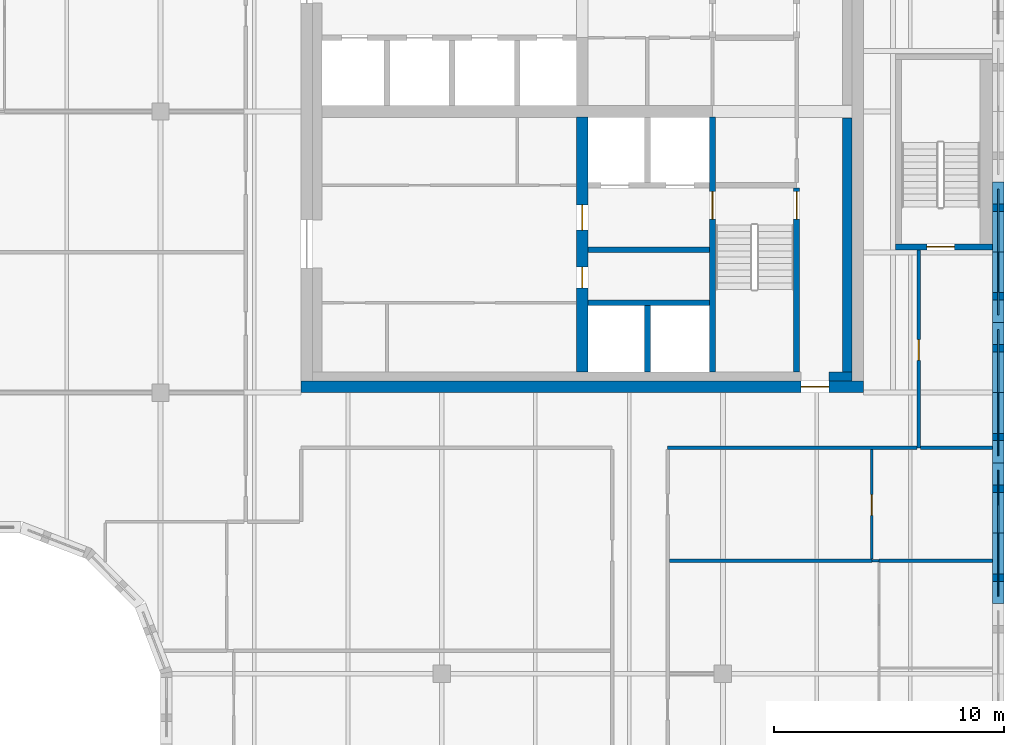
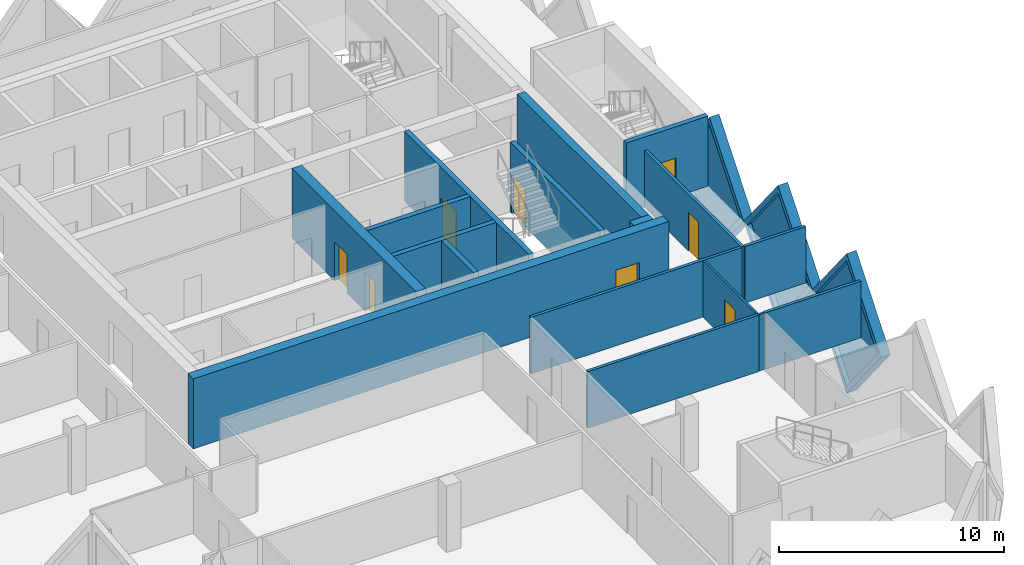
# One storey, part 6 of 12: 20 walls, 8 doors, 3 plates, 11 openings.
"""IFC4 building model written with IfcOpenShell, lengths in metres."""

from ifc_helpers import new_model, si_unit, direction, frame, frame_2d, origin, place, context, subcontext, project, spatial, polyline, rectangle, outline, extrude, faceted_brep, source, transform, mapped, material, layer, layer_set, type_object, element, fill, save


model = new_model("IFC4")

# Units and contexts
model_context = context("Model", 3, precision=1e-05, world=origin(), true_north=direction((0.0, 1.0)))
body_context = subcontext(model_context, "Body", "Model", "MODEL_VIEW")
ifc_project = project(units=[si_unit("LENGTHUNIT", "METRE"), si_unit("AREAUNIT", "SQUARE_METRE"), si_unit("VOLUMEUNIT", "CUBIC_METRE"), si_unit("PLANEANGLEUNIT", "RADIAN"), si_unit("MASSUNIT", "GRAM", prefix="KILO")], contexts=[model_context])

# Site, building, storey
site_placement = place(None, origin())
site = spatial("IfcSite", under=ifc_project, at=site_placement, CompositionType="ELEMENT")
building_placement = place(site_placement, origin())
building = spatial("IfcBuilding", under=site, at=building_placement, Name="Tessera Gate Towers", CompositionType="ELEMENT")
storey_placement = place(building_placement, frame((0.0, 0.0, 209.300048828125)))
storey = spatial("IfcBuildingStorey", under=building, at=storey_placement, Name="L52", CompositionType="ELEMENT", Elevation=209.300048828125)

# Wall, opening, door
ifc_material_1 = material(Name="Concrete C40/50", Category="concrete")
ifc_layer_1 = layer(ifc_material_1, 0.25)
ifc_layer_set_1 = layer_set([ifc_layer_1], Name="CORE ENCLOSURE WALL 250")
wall_type_1 = type_object("IfcWallType", Name="CORE ENCLOSURE WALL 250", PredefinedType="SOLIDWALL", material=ifc_layer_set_1)
wall_1_placement = place(storey_placement, frame((48.35009765625, 36.35009765625, 0.0), z_axis=(0.0, 0.0, 1.0), x_axis=(0.0, -1.0, 0.0)))
wall_1 = element("IfcWall", 1, at=wall_1_placement, inside=storey, type_object=wall_type_1, Name="L52 shaft and stair enclosure wall", PredefinedType="SOLIDWALL", context=body_context, shape_type="SweptSolid", body=[
    extrude(rectangle(XDim=11.050048828125, YDim=0.25, at=frame_2d((5.52490234375, 0.0))), origin(), (0.0, 0.0, 1.0), 3.800048828125),
])
shared_shape_1 = source(origin(), body_context, "Body", "SweptSolid", [
    extrude(rectangle(XDim=1.199951171875, YDim=2.10009765625, at=frame_2d((0.60009765625, 1.050048828125))), frame((0.0, 0.135009765625, 0.0), z_axis=(0.0, -1.0, 0.0), x_axis=(1.0, 0.0, 0.0)), (0.0, 0.0, 1.0), 0.27001953125),
])
opening_1_placement = place(wall_1_placement, frame((3.22509765625, 0.0, 0.0)))
opening_1 = element("IfcOpeningElement", 2, at=opening_1_placement, cuts=wall_1, Name="Opening SD-ST1-1", PredefinedType="OPENING", context=body_context, shape_type="MappedRepresentation", body=[
    mapped(shared_shape_1, transform((0.0, 0.0, 0.0), scale=1.0)),
])
ifc_material_2 = material(Name="Hollow steel fire door", Category="steel")
door_type_1 = type_object("IfcDoorType", Name="CORE DOOR SD 1200x2100", OperationType="NOTDEFINED", PredefinedType="DOOR", material=ifc_material_2)
shared_shape_2 = source(origin(), body_context, "Body", "SweptSolid", [
    extrude(rectangle(XDim=1.199951171875, YDim=2.10009765625, at=frame_2d((0.60009765625, 1.050048828125))), frame((0.0, 0.02490234375, 0.0), z_axis=(0.0, -1.0, 0.0), x_axis=(1.0, 0.0, 0.0)), (0.0, 0.0, 1.0), 0.050048828125),
])
door_1_placement = place(opening_1_placement, origin())
door_1 = element("IfcDoor", 3, at=door_1_placement, inside=storey, type_object=door_type_1, Name="Stair door", OperationType="SINGLE_SWING_LEFT", OverallHeight=2.10009765625, OverallWidth=1.199951171875, PredefinedType="DOOR", context=body_context, shape_type="MappedRepresentation", body=[
    mapped(shared_shape_2, transform((0.0, 0.0, 0.0), scale=1.0)),
])
fill(opening_1, door_1)

wall_2_placement = place(storey_placement, frame((52.0, 25.300048828125, 0.0), z_axis=(0.0, 0.0, 1.0), x_axis=(0.0, 1.0, 0.0)))
wall_2 = element("IfcWall", 4, at=wall_2_placement, inside=storey, type_object=wall_type_1, Name="L52 shaft and stair enclosure wall", PredefinedType="SOLIDWALL", context=body_context, shape_type="SweptSolid", body=[
    extrude(rectangle(XDim=7.974853515625, YDim=0.25, at=frame_2d((3.9873046875, 0.0))), origin(), (0.0, 0.0, 1.0), 3.800048828125),
])
opening_2_placement = place(wall_2_placement, frame((6.625, 0.0, 0.0)))
opening_2 = element("IfcOpeningElement", 5, at=opening_2_placement, cuts=wall_2, Name="Opening SD-ST1-2", PredefinedType="OPENING", context=body_context, shape_type="MappedRepresentation", body=[
    mapped(shared_shape_1, transform((0.0, 0.0, 0.0), scale=1.0)),
])
door_2_placement = place(opening_2_placement, origin())
door_2 = element("IfcDoor", 6, at=door_2_placement, inside=storey, type_object=door_type_1, Name="Stair door", OperationType="SINGLE_SWING_RIGHT", OverallHeight=2.10009765625, OverallWidth=1.199951171875, PredefinedType="DOOR", context=body_context, shape_type="MappedRepresentation", body=[
    mapped(shared_shape_2, transform((0.0, 0.0, 0.0), scale=1.0)),
])
fill(opening_2, door_2)

# Walls
for number, where, z_axis, x_axis, name in (
    (7, (42.949951171875, 28.300048828125, 0.0), (0.0, 0.0, 1.0), (1.0, 0.0, 0.0), "L52 shaft and stair enclosure wall"),
    (8, (42.949951171875, 30.60009765625, 0.0), (0.0, 0.0, 1.0), (1.0, 0.0, 0.0), "L52 shaft and stair enclosure wall"),
):
    element("IfcWall", number, at=place(storey_placement, frame(where, z_axis=z_axis, x_axis=x_axis)), inside=storey, type_object=wall_type_1, Name=name, PredefinedType="SOLIDWALL", context=body_context, shape_type="SweptSolid", body=[
        extrude(rectangle(XDim=5.275146484375, YDim=0.25, at=frame_2d((2.6376953125, 0.0))), origin(), (0.0, 0.0, 1.0), 3.800048828125),
    ])
wall_3_placement = place(storey_placement, frame((45.52490234375, 25.300048828125, 0.0), z_axis=(0.0, 0.0, 1.0), x_axis=(0.0, 1.0, 0.0)))
element("IfcWall", 9, at=wall_3_placement, inside=storey, type_object=wall_type_1, Name="L52 shaft and stair enclosure wall", PredefinedType="SOLIDWALL", context=body_context, shape_type="SweptSolid", body=[
    extrude(rectangle(XDim=2.875, YDim=0.25, at=frame_2d((1.4375, 0.0))), origin(), (0.0, 0.0, 1.0), 3.800048828125),
])

# Wall, opening, door
wall_4_placement = place(storey_placement, frame((60.5, 30.72509765625, 0.0), z_axis=(0.0, 0.0, 1.0), x_axis=(-1.0, 0.0, 0.0)))
wall_4 = element("IfcWall", 10, at=wall_4_placement, inside=storey, type_object=wall_type_1, Name="L52 ST5 enclosure wall", PredefinedType="SOLIDWALL", context=body_context, shape_type="SweptSolid", body=[
    extrude(rectangle(XDim=4.199951171875, YDim=0.25, at=frame_2d((2.10009765625, 0.0))), origin(), (0.0, 0.0, 1.0), 3.800048828125),
])
opening_3_placement = place(wall_4_placement, frame((1.64990234375, 0.0, 0.0)))
opening_3 = element("IfcOpeningElement", 11, at=opening_3_placement, cuts=wall_4, Name="Opening SD-ST5-1", PredefinedType="OPENING", context=body_context, shape_type="MappedRepresentation", body=[
    mapped(shared_shape_1, transform((0.0, 0.0, 0.0), scale=1.0)),
])
door_3_placement = place(opening_3_placement, origin())
door_3 = element("IfcDoor", 12, at=door_3_placement, inside=storey, type_object=door_type_1, Name="Stair door", OperationType="SINGLE_SWING_RIGHT", OverallHeight=2.10009765625, OverallWidth=1.199951171875, PredefinedType="DOOR", context=body_context, shape_type="MappedRepresentation", body=[
    mapped(shared_shape_2, transform((0.0, 0.0, 0.0), scale=1.0)),
])
fill(opening_3, door_3)

ifc_material_3 = material(Name="Concrete C50/60", Category="concrete")
ifc_layer_2 = layer(ifc_material_3, 0.5)
ifc_layer_set_2 = layer_set([ifc_layer_2], Name="CORE SHEAR WALL 500 C50/60")
wall_type_2 = type_object("IfcWallType", Name="CORE SHEAR WALL 500 C50/60", PredefinedType="SHEAR", material=ifc_layer_set_2)
wall_5_placement = place(storey_placement, frame((54.89990234375, 24.64990234375, 0.0), z_axis=(0.0, 0.0, 1.0), x_axis=(-1.0, 0.0, 0.0)))
wall_5 = element("IfcWall", 13, at=wall_5_placement, inside=storey, type_object=wall_type_2, Name="Core wall S L52", PredefinedType="SHEAR", context=body_context, shape_type="SweptSolid", body=[
    extrude(rectangle(XDim=24.39990234375, YDim=0.5, at=frame_2d((12.199951171875, 0.0))), origin(), (0.0, 0.0, 1.0), 3.800048828125),
])
shared_shape_3 = source(origin(), body_context, "Body", "SweptSolid", [
    extrude(rectangle(XDim=1.199951171875, YDim=2.10009765625, at=frame_2d((0.60009765625, 1.050048828125))), frame((0.0, 0.260009765625, 0.0), z_axis=(0.0, -1.0, 0.0), x_axis=(1.0, 0.0, 0.0)), (0.0, 0.0, 1.0), 0.52001953125),
])
opening_4_placement = place(wall_5_placement, frame((1.5, 0.0, 0.0)))
opening_4 = element("IfcOpeningElement", 14, at=opening_4_placement, cuts=wall_5, Name="Opening ED-T1-32-01", PredefinedType="OPENING", context=body_context, shape_type="MappedRepresentation", body=[
    mapped(shared_shape_3, transform((0.0, 0.0, 0.0), scale=1.0)),
])
ifc_material_4 = material(Name="Hollow steel fire door", Category="steel")
door_type_2 = type_object("IfcDoorType", Name="CORE DOOR ED 1200x2100", OperationType="NOTDEFINED", PredefinedType="DOOR", material=ifc_material_4)
door_4_placement = place(opening_4_placement, origin())
door_4 = element("IfcDoor", 15, at=door_4_placement, inside=storey, type_object=door_type_2, Name="Core exit door", OperationType="SINGLE_SWING_LEFT", OverallHeight=2.10009765625, OverallWidth=1.199951171875, PredefinedType="DOOR", context=body_context, shape_type="MappedRepresentation", body=[
    mapped(shared_shape_2, transform((0.0, 0.0, 0.0), scale=1.0)),
])
fill(opening_4, door_4)

# Wall, openings, doors
ifc_material_5 = material(Name="Concrete C50/60", Category="concrete")
ifc_layer_3 = layer(ifc_material_5, 0.5)
ifc_layer_set_3 = layer_set([ifc_layer_3], Name="CORE SPINE WALL 500 C50/60")
wall_type_3 = type_object("IfcWallType", Name="CORE SPINE WALL 500 C50/60", PredefinedType="SHEAR", material=ifc_layer_set_3)
wall_6_placement = place(storey_placement, frame((42.699951171875, 36.35009765625, 0.0), z_axis=(0.0, 0.0, 1.0), x_axis=(0.0, -1.0, 0.0)))
wall_6 = element("IfcWall", 16, at=wall_6_placement, inside=storey, type_object=wall_type_3, Name="Core wall spine L52", PredefinedType="SHEAR", context=body_context, shape_type="SweptSolid", body=[
    extrude(rectangle(XDim=11.050048828125, YDim=0.5, at=frame_2d((5.52490234375, 0.0))), origin(), (0.0, 0.0, 1.0), 3.800048828125),
])
shared_shape_4 = source(origin(), body_context, "Body", "SweptSolid", [
    extrude(rectangle(XDim=0.89990234375, YDim=2.10009765625, at=frame_2d((0.449951171875, 1.050048828125))), frame((0.0, 0.260009765625, 0.0), z_axis=(0.0, -1.0, 0.0), x_axis=(1.0, 0.0, 0.0)), (0.0, 0.0, 1.0), 0.52001953125),
])
opening_5_placement = place(wall_6_placement, frame((6.5, 0.0, 0.0)))
opening_5 = element("IfcOpeningElement", 17, at=opening_5_placement, cuts=wall_6, Name="Opening RD-T1-32-05", PredefinedType="OPENING", context=body_context, shape_type="MappedRepresentation", body=[
    mapped(shared_shape_4, transform((0.0, 0.0, 0.0), scale=1.0)),
])
shared_shape_5 = source(origin(), body_context, "Body", "SweptSolid", [
    extrude(rectangle(XDim=1.10009765625, YDim=2.10009765625, at=frame_2d((0.550048828125, 1.050048828125))), frame((0.0, 0.260009765625, 0.0), z_axis=(0.0, -1.0, 0.0), x_axis=(1.0, 0.0, 0.0)), (0.0, 0.0, 1.0), 0.52001953125),
])
opening_6_placement = place(wall_6_placement, frame((3.800048828125, 0.0, 0.0)))
opening_6 = element("IfcOpeningElement", 18, at=opening_6_placement, cuts=wall_6, Name="Opening FD-T1-32-06", PredefinedType="OPENING", context=body_context, shape_type="MappedRepresentation", body=[
    mapped(shared_shape_5, transform((0.0, 0.0, 0.0), scale=1.0)),
])
ifc_material_6 = material(Name="Hollow steel fire door", Category="steel")
door_type_3 = type_object("IfcDoorType", Name="CORE DOOR RD 900x2100", OperationType="NOTDEFINED", PredefinedType="DOOR", material=ifc_material_6)
shared_shape_6 = source(origin(), body_context, "Body", "SweptSolid", [
    extrude(rectangle(XDim=0.89990234375, YDim=2.10009765625, at=frame_2d((0.449951171875, 1.050048828125))), frame((0.0, 0.02490234375, 0.0), z_axis=(0.0, -1.0, 0.0), x_axis=(1.0, 0.0, 0.0)), (0.0, 0.0, 1.0), 0.050048828125),
])
door_5_placement = place(opening_5_placement, origin())
door_5 = element("IfcDoor", 19, at=door_5_placement, inside=storey, type_object=door_type_3, Name="Core room door", OperationType="SINGLE_SWING_RIGHT", OverallHeight=2.10009765625, OverallWidth=0.89990234375, PredefinedType="DOOR", context=body_context, shape_type="MappedRepresentation", body=[
    mapped(shared_shape_6, transform((0.0, 0.0, 0.0), scale=1.0)),
])
fill(opening_5, door_5)
ifc_material_7 = material(Name="Hollow steel fire door", Category="steel")
door_type_4 = type_object("IfcDoorType", Name="CORE DOOR FD 1100x2100", OperationType="NOTDEFINED", PredefinedType="DOOR", material=ifc_material_7)
shared_shape_7 = source(origin(), body_context, "Body", "SweptSolid", [
    extrude(rectangle(XDim=1.10009765625, YDim=2.10009765625, at=frame_2d((0.550048828125, 1.050048828125))), frame((0.0, 0.02490234375, 0.0), z_axis=(0.0, -1.0, 0.0), x_axis=(1.0, 0.0, 0.0)), (0.0, 0.0, 1.0), 0.050048828125),
])
door_6_placement = place(opening_6_placement, origin())
door_6 = element("IfcDoor", 20, at=door_6_placement, inside=storey, type_object=door_type_4, Name="Fire-fighting lobby door", OperationType="SINGLE_SWING_LEFT", OverallHeight=2.10009765625, OverallWidth=1.10009765625, PredefinedType="DOOR", context=body_context, shape_type="MappedRepresentation", body=[
    mapped(shared_shape_7, transform((0.0, 0.0, 0.0), scale=1.0)),
])
fill(opening_6, door_6)

# Walls
ifc_material_8 = material(Name="Concrete C50/60", Category="concrete")
ifc_layer_4 = layer(ifc_material_8, 0.39990234375)
ifc_layer_set_4 = layer_set([ifc_layer_4], Name="CORE WALL THICKENING 400")
wall_type_4 = type_object("IfcWallType", Name="CORE WALL THICKENING 400", PredefinedType="SOLIDWALL", material=ifc_layer_set_4)
wall_7_placement = place(storey_placement, frame((53.39990234375, 25.10009765625, 0.0), z_axis=(0.0, 0.0, 1.0), x_axis=(1.0, 0.0, 0.0)))
element("IfcWall", 21, at=wall_7_placement, inside=storey, type_object=wall_type_4, Name="Core wall thickening S L52", PredefinedType="SOLIDWALL", context=body_context, shape_type="SweptSolid", body=[
    extrude(rectangle(XDim=1.0, YDim=0.39990234375, at=frame_2d((0.5, 0.0))), origin(), (0.0, 0.0, 1.0), 3.800048828125),
])
wall_8_placement = place(storey_placement, frame((54.199951171875, 25.300048828125, 0.0), z_axis=(0.0, 0.0, 1.0), x_axis=(0.0, 1.0, 0.0)))
element("IfcWall", 22, at=wall_8_placement, inside=storey, type_object=wall_type_4, Name="Core wall thickening E L52", PredefinedType="SOLIDWALL", context=body_context, shape_type="SweptSolid", body=[
    extrude(rectangle(XDim=11.02001953125, YDim=0.39990234375, at=frame_2d((5.510009765625, 0.0))), origin(), (0.0, 0.0, 1.0), 3.800048828125),
])
ifc_material_9 = material(Name="Gypsum board on steel studs, mineral wool", Category="steel")
ifc_layer_5 = layer(ifc_material_9, 0.14990234375)
ifc_layer_set_5 = layer_set([ifc_layer_5], Name="CORRIDOR WALL 150")
wall_type_5 = type_object("IfcWallType", Name="CORRIDOR WALL 150", PredefinedType="PARTITIONING", material=ifc_layer_set_5)
wall_9_placement = place(storey_placement, frame((46.39990234375, 22.0, 0.0), z_axis=(0.0, 0.0, 1.0), x_axis=(1.0, 0.0, 0.0)))
element("IfcWall", 23, at=wall_9_placement, inside=storey, type_object=wall_type_5, Name="T1-L52-PW-029", PredefinedType="PARTITIONING", context=body_context, shape_type="SweptSolid", body=[
    extrude(rectangle(XDim=10.82421875, YDim=0.14990234375, at=frame_2d((5.412109375, 0.0))), origin(), (0.0, 0.0, 1.0), 3.06689453125),
])

# Wall, opening, door
wall_10_placement = place(storey_placement, frame((57.300048828125, 30.60009765625, 0.0), z_axis=(0.0, 0.0, 1.0), x_axis=(0.0, -1.0, 0.0)))
wall_10 = element("IfcWall", 24, at=wall_10_placement, inside=storey, type_object=wall_type_5, Name="T1-L52-PW-030", PredefinedType="PARTITIONING", context=body_context, shape_type="SweptSolid", body=[
    extrude(rectangle(XDim=8.60009765625, YDim=0.14990234375, at=frame_2d((4.300048828125, 0.0))), origin(), (0.0, 0.0, 1.0), 3.06689453125),
])
shared_shape_8 = source(origin(), body_context, "Body", "SweptSolid", [
    extrude(rectangle(XDim=0.89990234375, YDim=2.10009765625, at=frame_2d((0.449951171875, 1.050048828125))), frame((0.0, 0.0849609375, 0.0), z_axis=(0.0, -1.0, 0.0), x_axis=(1.0, 0.0, 0.0)), (0.0, 0.0, 1.0), 0.169921875),
])
opening_7_placement = place(wall_10_placement, frame((3.89990234375, 0.0, 0.0)))
opening_7 = element("IfcOpeningElement", 25, at=opening_7_placement, cuts=wall_10, Name="Opening D890FD60-A19-06", PredefinedType="OPENING", context=body_context, shape_type="MappedRepresentation", body=[
    mapped(shared_shape_8, transform((0.0, 0.0, 0.0), scale=1.0)),
])
ifc_material_10 = material(Name="Timber door leaf in steel frame", Category="steel")
door_type_5 = type_object("IfcDoorType", Name="CORRIDOR DOOR 900 FD60", OperationType="NOTDEFINED", PredefinedType="DOOR", material=ifc_material_10)
door_7_placement = place(opening_7_placement, origin())
door_7 = element("IfcDoor", 26, at=door_7_placement, inside=storey, type_object=door_type_5, Name="T1-L52-PD-021", OperationType="SINGLE_SWING_RIGHT", OverallHeight=2.10009765625, OverallWidth=0.89990234375, PredefinedType="DOOR", context=body_context, shape_type="MappedRepresentation", body=[
    mapped(shared_shape_6, transform((0.0, 0.0, 0.0), scale=1.0)),
])
fill(opening_7, door_7)

# Wall
ifc_material_11 = material(Name="Glass", Category="glass")
ifc_layer_6 = layer(ifc_material_11, 0.10009765625)
ifc_layer_set_6 = layer_set([ifc_layer_6], Name="GLAZED PARTITION 100")
wall_type_6 = type_object("IfcWallType", Name="GLAZED PARTITION 100", PredefinedType="PARTITIONING", material=ifc_layer_set_6)
wall_11_placement = place(storey_placement, frame((55.26611328125, 17.10009765625, 0.0), z_axis=(0.0, 0.0, 1.0), x_axis=(1.0, 0.0, 0.0)))
element("IfcWall", 27, at=wall_11_placement, inside=storey, type_object=wall_type_6, Name="T1-L52-PW-019", PredefinedType="PARTITIONING", context=body_context, shape_type="SweptSolid", body=[
    extrude(rectangle(XDim=0.307861328125, YDim=0.10009765625, at=frame_2d((0.15380859375, 0.0))), origin(), (0.0, 0.0, 1.0), 3.06689453125),
])

# Wall, opening, door
wall_12_placement = place(storey_placement, frame((55.264892578125, 21.924072265625, 0.0), z_axis=(0.0, 0.0, 1.0), x_axis=(0.0, -1.0, 0.0)))
wall_12 = element("IfcWall", 28, at=wall_12_placement, inside=storey, type_object=wall_type_6, Name="T1-L52-PW-021", PredefinedType="PARTITIONING", context=body_context, shape_type="SweptSolid", body=[
    extrude(rectangle(XDim=4.748046875, YDim=0.10009765625, at=frame_2d((2.3740234375, 0.0))), origin(), (0.0, 0.0, 1.0), 3.06689453125),
])
shared_shape_9 = source(origin(), body_context, "Body", "SweptSolid", [
    extrude(rectangle(XDim=0.89990234375, YDim=2.10009765625, at=frame_2d((0.449951171875, 1.050048828125))), frame((0.0, 0.06005859375, 0.0), z_axis=(0.0, -1.0, 0.0), x_axis=(1.0, 0.0, 0.0)), (0.0, 0.0, 1.0), 0.1201171875),
])
opening_8_placement = place(wall_12_placement, frame((1.947998046875, 0.0, 0.0)))
opening_8 = element("IfcOpeningElement", 29, at=opening_8_placement, cuts=wall_12, Name="Opening D690-A19-02", PredefinedType="OPENING", context=body_context, shape_type="MappedRepresentation", body=[
    mapped(shared_shape_9, transform((0.0, 0.0, 0.0), scale=1.0)),
])
ifc_material_12 = material(Name="Glass in aluminium frame", Category="aluminium")
door_type_6 = type_object("IfcDoorType", Name="GLAZED DOOR 900 NOT RATED", OperationType="NOTDEFINED", PredefinedType="DOOR", material=ifc_material_12)
door_8_placement = place(opening_8_placement, origin())
door_8 = element("IfcDoor", 30, at=door_8_placement, inside=storey, type_object=door_type_6, Name="T1-L52-PD-007", OperationType="SINGLE_SWING_RIGHT", OverallHeight=2.10009765625, OverallWidth=0.89990234375, PredefinedType="DOOR", context=body_context, shape_type="MappedRepresentation", body=[
    mapped(shared_shape_6, transform((0.0, 0.0, 0.0), scale=1.0)),
])
fill(opening_8, door_8)

# Walls
ifc_material_13 = material(Name="Gypsum board on steel studs, mineral wool", Category="steel")
ifc_layer_7 = layer(ifc_material_13, 0.14990234375)
ifc_layer_set_7 = layer_set([ifc_layer_7], Name="TENANCY WALL 150")
wall_type_7 = type_object("IfcWallType", Name="TENANCY WALL 150", PredefinedType="PARTITIONING", material=ifc_layer_set_7)
wall_13_placement = place(storey_placement, frame((46.47607421875, 17.10009765625, 0.0), z_axis=(0.0, 0.0, 1.0), x_axis=(1.0, 0.0, 0.0)))
element("IfcWall", 31, at=wall_13_placement, inside=storey, type_object=wall_type_7, Name="T1-L52-PW-018", PredefinedType="PARTITIONING", context=body_context, shape_type="SweptSolid", body=[
    extrude(rectangle(XDim=8.788818359375, YDim=0.14990234375, at=frame_2d((4.39453125, 0.0))), origin(), (0.0, 0.0, 1.0), 3.06689453125),
])
wall_14_placement = place(storey_placement, frame((55.574951171875, 17.10009765625, 0.0), z_axis=(0.0, 0.0, 1.0), x_axis=(1.0, 0.0, 0.0)))
element("IfcWall", 32, at=wall_14_placement, inside=storey, type_object=wall_type_7, Name="T1-L52-PW-020", PredefinedType="PARTITIONING", context=body_context, shape_type="SweptSolid", body=[
    extrude(rectangle(XDim=4.925048828125, YDim=0.14990234375, at=frame_2d((2.46240234375, 0.0))), origin(), (0.0, 0.0, 1.0), 3.06689453125),
])
wall_15_placement = place(storey_placement, frame((57.3759765625, 22.0, 0.0), z_axis=(0.0, 0.0, 1.0), x_axis=(1.0, 0.0, 0.0)))
element("IfcWall", 33, at=wall_15_placement, inside=storey, type_object=wall_type_7, Name="T1-L52-PW-031", PredefinedType="PARTITIONING", context=body_context, shape_type="SweptSolid", body=[
    extrude(rectangle(XDim=3.1240234375, YDim=0.14990234375, at=frame_2d((1.56201171875, 0.0))), origin(), (0.0, 0.0, 1.0), 3.06689453125),
])

# Wall, opening, plate
ifc_material_14 = material(Name="Precast concrete C60/75 white", Category="concrete")
ifc_layer_8 = layer(ifc_material_14, 0.5)
ifc_layer_set_8 = layer_set([ifc_layer_8], Name="TS1 tessera")
wall_type_8 = type_object("IfcWallType", Name="TS1 tessera", PredefinedType="SOLIDWALL", material=ifc_layer_set_8)
shared_shape_10 = source(origin(), body_context, "Body", "Brep", [
    faceted_brep([(3.050048828125, -0.25, 0.0), (6.099853515625, -0.25, 3.7998046875), (6.099853515625, -0.25, 3.80029296875), (3.050048828125, -0.25, 7.60009765625), (0.0, -0.25, 3.800048828125), (0.0, 0.25, 3.800048828125), (3.050048828125, 0.25, 7.60009765625), (6.099853515625, 0.25, 3.80029296875), (6.099853515625, 0.25, 3.7998046875), (3.050048828125, 0.25, 0.0)], [[[0, 1, 2, 3, 4]], [[5, 6, 7, 8, 9]], [[9, 8, 1, 0]], [[7, 6, 3, 2]], [[6, 5, 4, 3]], [[5, 9, 0, 4]], [[1, 8, 7, 2]]]),
])
wall_16_placement = place(storey_placement, frame((60.75, 21.35009765625, -3.800048828125), z_axis=(0.0, 0.0, 1.0), x_axis=(0.0, 1.0, 0.0)))
wall_16 = element("IfcWall", 34, at=wall_16_placement, inside=storey, type_object=wall_type_8, Name="Precast tessera T1 TS1-0903", PredefinedType="SOLIDWALL", context=body_context, shape_type="MappedRepresentation", body=[
    mapped(shared_shape_10, transform((0.0, 0.0, 0.0), scale=1.0)),
])
shared_shape_11 = source(origin(), body_context, "Body", "SweptSolid", [
    extrude(outline(polyline([(3.050048828125, 0.3994140625), (5.779541015625, 3.800048828125), (3.050048828125, 7.20068359375), (0.320556640625, 3.800048828125), (3.050048828125, 0.3994140625)])), frame((0.0, 0.260009765625, 0.0), z_axis=(0.0, -1.0, 0.0), x_axis=(1.0, 0.0, 0.0)), (0.0, 0.0, 1.0), 0.52001953125),
])
opening_9_placement = place(wall_16_placement, origin())
opening_9 = element("IfcOpeningElement", 35, at=opening_9_placement, cuts=wall_16, Name="Opening T1-PL2-1843", PredefinedType="OPENING", context=body_context, shape_type="MappedRepresentation", body=[
    mapped(shared_shape_11, transform((0.0, 0.0, 0.0), scale=1.0)),
])
ifc_material_15 = material(Name="Low-e laminated glass", Category="glass")
ifc_layer_9 = layer(ifc_material_15, 0.06005859375)
ifc_layer_set_9 = layer_set([ifc_layer_9], Name="PL2 rhombic pane")
plate_type = type_object("IfcPlateType", Name="PL2 rhombic pane", PredefinedType="SHEET", material=ifc_layer_set_9)
shared_shape_12 = source(origin(), body_context, "Body", "SweptSolid", [
    extrude(outline(polyline([(3.050048828125, 0.3994140625), (5.779541015625, 3.800048828125), (3.050048828125, 7.20068359375), (0.320556640625, 3.800048828125), (3.050048828125, 0.3994140625)])), frame((0.0, 0.030029296875, 0.0), z_axis=(0.0, -1.0, 0.0), x_axis=(1.0, 0.0, 0.0)), (0.0, 0.0, 1.0), 0.06005859375),
])
plate_1_placement = place(opening_9_placement, origin())
plate_1 = element("IfcPlate", 36, at=plate_1_placement, inside=storey, type_object=plate_type, Name="Glass pane T1 PL2-1843", PredefinedType="SHEET", context=body_context, shape_type="MappedRepresentation", body=[
    mapped(shared_shape_12, transform((0.0, 0.0, 0.0), scale=1.0)),
])
fill(opening_9, plate_1)

shared_shape_13 = source(origin(), body_context, "Body", "SweptSolid", [
    extrude(outline(polyline([(3.050048828125, 0.0), (6.10009765625, 3.800048828125), (3.050048828125, 7.60009765625), (0.0, 3.800048828125), (3.050048828125, 0.0)])), frame((0.0, 0.25, 0.0), z_axis=(0.0, -1.0, 0.0), x_axis=(1.0, 0.0, 0.0)), (0.0, 0.0, 1.0), 0.5),
])
wall_17_placement = place(storey_placement, frame((60.75, 15.25, -3.800048828125), z_axis=(0.0, 0.0, 1.0), x_axis=(0.0, 1.0, 0.0)))
wall_17 = element("IfcWall", 37, at=wall_17_placement, inside=storey, type_object=wall_type_8, Name="Precast tessera T1 TS1-0902", PredefinedType="SOLIDWALL", context=body_context, shape_type="MappedRepresentation", body=[
    mapped(shared_shape_13, transform((0.0, 0.0, 0.0), scale=1.0)),
])
opening_10_placement = place(wall_17_placement, origin())
opening_10 = element("IfcOpeningElement", 38, at=opening_10_placement, cuts=wall_17, Name="Opening T1-PL2-1842", PredefinedType="OPENING", context=body_context, shape_type="MappedRepresentation", body=[
    mapped(shared_shape_11, transform((0.0, 0.0, 0.0), scale=1.0)),
])
plate_2_placement = place(opening_10_placement, origin())
plate_2 = element("IfcPlate", 39, at=plate_2_placement, inside=storey, type_object=plate_type, Name="Glass pane T1 PL2-1842", PredefinedType="SHEET", context=body_context, shape_type="MappedRepresentation", body=[
    mapped(shared_shape_12, transform((0.0, 0.0, 0.0), scale=1.0)),
])
fill(opening_10, plate_2)

wall_18_placement = place(storey_placement, frame((60.75, 27.449951171875, -3.800048828125), z_axis=(0.0, 0.0, 1.0), x_axis=(0.0, 1.0, 0.0)))
wall_18 = element("IfcWall", 40, at=wall_18_placement, inside=storey, type_object=wall_type_8, Name="Precast tessera T1 TS1-0904", PredefinedType="SOLIDWALL", context=body_context, shape_type="MappedRepresentation", body=[
    mapped(shared_shape_13, transform((0.0, 0.0, 0.0), scale=1.0)),
])
opening_11_placement = place(wall_18_placement, origin())
opening_11 = element("IfcOpeningElement", 41, at=opening_11_placement, cuts=wall_18, Name="Opening T1-PL2-1844", PredefinedType="OPENING", context=body_context, shape_type="MappedRepresentation", body=[
    mapped(shared_shape_11, transform((0.0, 0.0, 0.0), scale=1.0)),
])
plate_3_placement = place(opening_11_placement, origin())
plate_3 = element("IfcPlate", 42, at=plate_3_placement, inside=storey, type_object=plate_type, Name="Glass pane T1 PL2-1844", PredefinedType="SHEET", context=body_context, shape_type="MappedRepresentation", body=[
    mapped(shared_shape_12, transform((0.0, 0.0, 0.0), scale=1.0)),
])
fill(opening_11, plate_3)

save(model, "model.ifc")
